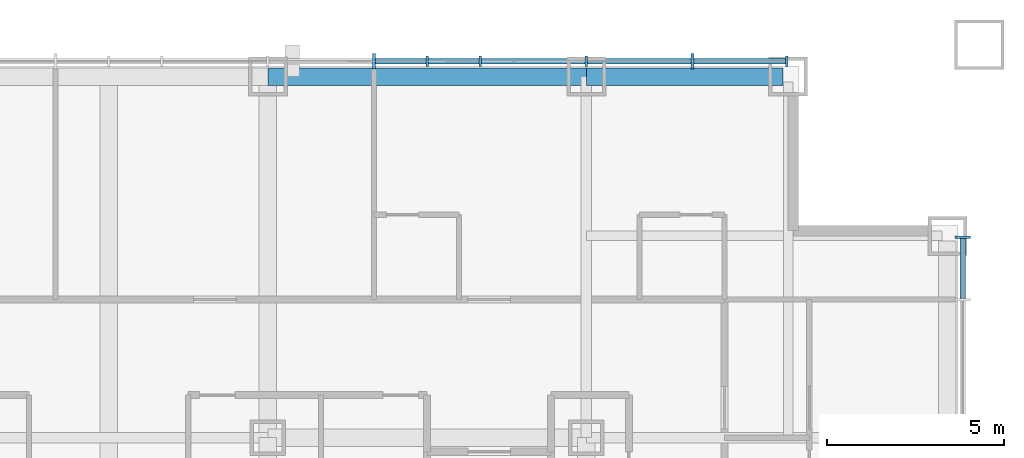
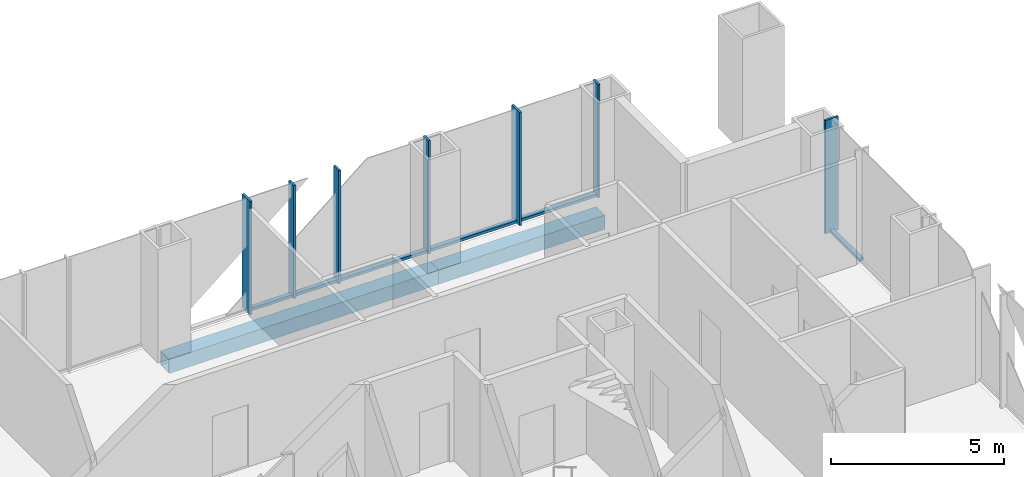
# One storey, part 6 of 18: 13 members, 2 beams, 2 elements without a shape of their own.
"""IFC4 building model written with IfcOpenShell, lengths in metres."""

import ifcopenshell
import ifcopenshell.guid

model = None  # the IFC model being written
_history = None  # IfcOwnerHistory: only IFC2X3 demands one
_inside = {}  # id of a spatial element -> (the spatial element, [elements in it])
_under = {}  # id of a project, library or spatial element -> (it, [spatial elements below it])
_declared = {}  # id of a project -> (the project, [libraries it declares])
_typed = {}  # id of a type object -> (the type object, [elements of that type])
_made_of = {}  # id of a material, layer set ... -> (it, [elements and type objects made of it])


def new_model(schema):
    """Start an empty IFC model of exactly this schema.

    Asked for "IFC4X3", IfcOpenShell would pick the latest addendum, in which some entities
    have other attributes; the version numbers below select the first issue.
    IFC2X3 requires an IfcOwnerHistory on every rooted entity: one is made here for all.
    """
    global model, _history
    if schema == "IFC4X3":
        model = ifcopenshell.file(schema_version=(4, 3, 0, 0))
    else:
        model = ifcopenshell.file(schema=schema)
    _inside.clear()
    _under.clear()
    _declared.clear()
    _typed.clear()
    _made_of.clear()
    _history = None
    if model.schema == "IFC2X3":
        org = make("IfcOrganization", Name="unknown")
        user = make(
            "IfcPersonAndOrganization",
            ThePerson=make("IfcPerson", FamilyName="unknown"),
            TheOrganization=org,
        )
        app = make(
            "IfcApplication",
            ApplicationDeveloper=org,
            Version="unknown",
            ApplicationFullName="unknown",
            ApplicationIdentifier="unknown",
        )
        _history = make(
            "IfcOwnerHistory",
            OwningUser=user,
            OwningApplication=app,
            ChangeAction="ADDED",
            CreationDate=0,
        )
    return model


def make(cls, **values):
    """One entity of the class cls with the attributes given. An attribute that is None is left unset."""
    return model.create_entity(
        cls, **{name: value for name, value in values.items() if value is not None}
    )


def rooted(cls, **values):
    """An entity with a GlobalId (a new one), such as an element, a storey or a relation."""
    return make(cls, GlobalId=ifcopenshell.guid.new(), OwnerHistory=_history, **values)


def si_unit(unit_type, name, prefix=None):
    """IfcSIUnit, for example si_unit("LENGTHUNIT", "METRE", prefix="MILLI")."""
    return make("IfcSIUnit", UnitType=unit_type, Prefix=prefix, Name=name)


def assignment(units):
    """IfcUnitAssignment: the units of a project."""
    return None if units is None else make("IfcUnitAssignment", Units=units)


def point(xyz):
    """IfcCartesianPoint."""
    return None if xyz is None else make("IfcCartesianPoint", Coordinates=xyz)


def direction(xyz):
    """IfcDirection."""
    return None if xyz is None else make("IfcDirection", DirectionRatios=xyz)


def frame(location, z_axis=None, x_axis=None):
    """IfcAxis2Placement3D, a coordinate frame: its origin and axes. An axis left out is left unset."""
    return make(
        "IfcAxis2Placement3D",
        Location=point(location),
        Axis=direction(z_axis),
        RefDirection=direction(x_axis),
    )


def frame_2d(location, x_axis=None):
    """IfcAxis2Placement2D, a coordinate frame in the plane: its origin and x axis."""
    return make(
        "IfcAxis2Placement2D", Location=point(location), RefDirection=direction(x_axis)
    )


def origin():
    """The frame at (0, 0, 0) with its axes left unset."""
    return frame((0.0, 0.0, 0.0))


def origin_2d():
    """The frame at (0, 0) in the plane with its x axis left unset."""
    return frame_2d((0.0, 0.0))


def place(relative_to, where):
    """IfcLocalPlacement: puts the frame where relative to a parent placement (None: the world)."""
    return make(
        "IfcLocalPlacement", PlacementRelTo=relative_to, RelativePlacement=where
    )


def context(
    kind, dimensions, precision=None, world=None, true_north=None, identifier=None
):
    """IfcGeometricRepresentationContext, for example the 3D "Model" context."""
    return make(
        "IfcGeometricRepresentationContext",
        ContextIdentifier=identifier,
        ContextType=kind,
        CoordinateSpaceDimension=dimensions,
        Precision=precision,
        WorldCoordinateSystem=world,
        TrueNorth=true_north,
    )


def subcontext(parent, identifier, kind, view, scale=None):
    """IfcGeometricRepresentationSubContext, for example "Body" below "Model"."""
    return make(
        "IfcGeometricRepresentationSubContext",
        ContextIdentifier=identifier,
        ContextType=kind,
        ParentContext=parent,
        TargetScale=scale,
        TargetView=view,
    )


def project(units=None, contexts=None):
    """IfcProject with its units and contexts."""
    return rooted(
        "IfcProject",
        Name="project",
        RepresentationContexts=contexts,
        UnitsInContext=assignment(units),
    )


def spatial(cls, under=None, at=None, **own):
    """A site, building, storey or space (cls), placed at a placement, below another one or the project."""
    s = rooted(cls, ObjectPlacement=at, **own)
    if under is not None:
        _under.setdefault(under.id(), (under, []))[1].append(s)
    return s


def profile(cls, at=None, kind="AREA", **sizes):
    """A parametric profile (cls). Its sizes go by their IFC names, for example OverallWidth=200.0."""
    return make(cls, ProfileType=kind, Position=at, **sizes)


def rectangle(**sizes):
    """IfcRectangleProfileDef."""
    return profile("IfcRectangleProfileDef", **sizes)


def hollow_rectangle(**sizes):
    """IfcRectangleHollowProfileDef."""
    return profile("IfcRectangleHollowProfileDef", **sizes)


def extrude(swept, where, along, depth):
    """IfcExtrudedAreaSolid: the profile swept, set in the frame where, extruded along a direction by depth."""
    return make(
        "IfcExtrudedAreaSolid",
        SweptArea=swept,
        Position=where,
        ExtrudedDirection=direction(along),
        Depth=depth,
    )


def shape(context_of_items, identifier, shape_type, items):
    """IfcShapeRepresentation: the items that make up one representation, for example the "Body"."""
    return make(
        "IfcShapeRepresentation",
        ContextOfItems=context_of_items,
        RepresentationIdentifier=identifier,
        RepresentationType=shape_type,
        Items=items,
    )


def material(Name=None, Category=None):
    """IfcMaterial."""
    return make("IfcMaterial", Name=Name, Category=Category)


def layer(
    of_material, thickness, ventilated=None, Name=None, Category=None, Priority=None
):
    """IfcMaterialLayer: one layer of a wall or slab, of a material (None: an air gap)."""
    return make(
        "IfcMaterialLayer",
        Material=of_material,
        LayerThickness=thickness,
        IsVentilated=ventilated,
        Name=Name,
        Category=Category,
        Priority=Priority,
    )


def layer_set(layers, Name=None):
    """IfcMaterialLayerSet."""
    return make("IfcMaterialLayerSet", MaterialLayers=layers, LayerSetName=Name)


def material_profile(
    of_material, cross_section, Name=None, Category=None, Priority=None
):
    """IfcMaterialProfile: a cross section and its material."""
    return make(
        "IfcMaterialProfile",
        Name=Name,
        Material=of_material,
        Profile=cross_section,
        Priority=Priority,
        Category=Category,
    )


def profile_set(profiles, Name=None, composite=None):
    """IfcMaterialProfileSet."""
    return make(
        "IfcMaterialProfileSet",
        Name=Name,
        MaterialProfiles=profiles,
        CompositeProfile=composite,
    )


def made_of(thing, what):
    """Note that an element or type object is made of a material, layer set ...; save() writes the relation."""
    if what is not None:
        _made_of.setdefault(what.id(), (what, []))[1].append(thing)
    return thing


def type_object(cls, material=None, **own):
    """A type object (cls), such as IfcWallType, which elements share."""
    return made_of(rooted(cls, **own), material)


def element(
    cls,
    number,
    at=None,
    inside=None,
    cuts=None,
    type_object=None,
    material=None,
    context=None,
    identifier="Body",
    shape_type=None,
    held_by="IfcProductDefinitionShape",
    body=None,
    shapes=None,
    **own,
):
    """One element of the class cls, such as IfcWall. Its Tag is "e" and its number.

    at: its placement. inside: the storey or other place that contains it. cuts: it is an
    opening in that element (IfcRelVoidsElement). A single representation is given by context,
    identifier, shape_type and body (its items); several are given by shapes. held_by: the class
    of the entity that holds the representations. save() writes the other relations.
    """
    e = rooted(cls, Tag="e%d" % number, ObjectPlacement=at, **own)
    if body is not None:
        shapes = [shape(context, identifier, shape_type, body)]
    if shapes is not None:
        e.Representation = make(held_by, Representations=shapes)
    if inside is not None:
        _inside.setdefault(inside.id(), (inside, []))[1].append(e)
    if cuts is not None:
        rooted(
            "IfcRelVoidsElement", RelatingBuildingElement=cuts, RelatedOpeningElement=e
        )
    if type_object is not None:
        _typed.setdefault(type_object.id(), (type_object, []))[1].append(e)
    return made_of(e, material)


def aggregate(whole, parts):
    """IfcRelAggregates: a whole, such as a stair, and the parts it consists of."""
    return rooted("IfcRelAggregates", RelatingObject=whole, RelatedObjects=parts)


def save(model, path):
    """Write the relations noted so far, then the file.

    IfcRelAggregates (storeys below a building ...), IfcRelContainedInSpatialStructure (elements
    in a storey), IfcRelDefinesByType, IfcRelAssociatesMaterial and IfcRelDeclares: one each for
    every whole, place, type object, material and project.
    """
    for whole, parts in _under.values():
        aggregate(whole, parts)
    for where, things in _inside.values():
        rooted(
            "IfcRelContainedInSpatialStructure",
            RelatedElements=things,
            RelatingStructure=where,
        )
    for kind, things in _typed.values():
        rooted("IfcRelDefinesByType", RelatedObjects=things, RelatingType=kind)
    for what, things in _made_of.values():
        rooted("IfcRelAssociatesMaterial", RelatedObjects=things, RelatingMaterial=what)
    for by, libraries in _declared.values():
        rooted("IfcRelDeclares", RelatingContext=by, RelatedDefinitions=libraries)
    model.write(path)


model = new_model("IFC4")

# Units and contexts
model_context = context("Model", 3, precision=1e-05, world=origin(), true_north=direction((0.0, 1.0)))
body_context = subcontext(model_context, "Body", "Model", "MODEL_VIEW")
ifc_project = project(units=[si_unit("LENGTHUNIT", "METRE"), si_unit("AREAUNIT", "SQUARE_METRE"), si_unit("VOLUMEUNIT", "CUBIC_METRE"), si_unit("PLANEANGLEUNIT", "RADIAN"), si_unit("MASSUNIT", "GRAM", prefix="KILO")], contexts=[model_context])

# Site, building, storey
site_placement = place(None, origin())
site = spatial("IfcSite", under=ifc_project, at=site_placement, CompositionType="ELEMENT")
building_placement = place(site_placement, origin())
building = spatial("IfcBuilding", under=site, at=building_placement, Name="Malebo Sky Hospital", CompositionType="ELEMENT")
storey_placement = place(building_placement, frame((0.0, 0.0, 124.0)))
storey = spatial("IfcBuildingStorey", under=building, at=storey_placement, Name="L29", CompositionType="ELEMENT", Elevation=124.0)

# Curtain wall, members
ifc_material_1 = material(Name="Anodised aluminium, natural silver", Category="aluminium")
ifc_layer_1 = layer(ifc_material_1, 0.25)
ifc_layer_set_1 = layer_set([ifc_layer_1], Name="WARD CURTAIN WALL NORTH AND SOUTH")
curtain_wall_type_1 = type_object("IfcCurtainWallType", Name="WARD CURTAIN WALL NORTH AND SOUTH", PredefinedType="NOTDEFINED", material=ifc_layer_set_1)
curtain_wall_1_placement = place(storey_placement, origin())
curtain_wall_1 = element("IfcCurtainWall", 1, at=curtain_wall_1_placement, inside=storey, type_object=curtain_wall_type_1, Name="NS curtain wall N", PredefinedType="NOTDEFINED")
ifc_material_profile_1 = material_profile(ifc_material_1, rectangle(XDim=0.14990234375, YDim=0.10009765625, at=origin_2d()), Name="ALUMINIUM TRANSOM 150x100")
ifc_profile_set_1 = profile_set([ifc_material_profile_1], Name="Anodised aluminium, natural silver")
member_type_1 = type_object("IfcMemberType", Name="ALUMINIUM TRANSOM 150x100", PredefinedType="USERDEFINED", material=ifc_profile_set_1)
member_1_placement = place(storey_placement, frame((67.53759765625, 86.135009765625, 0.050048828125), z_axis=(1.0, 0.0, 0.0), x_axis=(0.0, 1.0, 0.0)))
member_1 = element("IfcMember", 2, at=member_1_placement, type_object=member_type_1, Name="Transom 12", ObjectType="TRANSOM", PredefinedType="USERDEFINED", context=body_context, shape_type="SweptSolid", body=[
    extrude(rectangle(XDim=0.14990234375, YDim=0.10009765625, at=origin_2d()), origin(), (0.0, 0.0, 1.0), 1.4248046875),
])
member_2_placement = place(storey_placement, frame((69.03759765625, 86.135009765625, 0.050048828125), z_axis=(1.0, 0.0, 0.0), x_axis=(0.0, 1.0, 0.0)))
member_2 = element("IfcMember", 3, at=member_2_placement, type_object=member_type_1, Name="Transom 13", ObjectType="TRANSOM", PredefinedType="USERDEFINED", context=body_context, shape_type="SweptSolid", body=[
    extrude(rectangle(XDim=0.14990234375, YDim=0.10009765625, at=origin_2d()), origin(), (0.0, 0.0, 1.0), 1.4248046875),
])
member_3_placement = place(storey_placement, frame((70.53759765625, 86.135009765625, 0.050048828125), z_axis=(1.0, 0.0, 0.0), x_axis=(0.0, 1.0, 0.0)))
member_3 = element("IfcMember", 4, at=member_3_placement, type_object=member_type_1, Name="Transom 14", ObjectType="TRANSOM", PredefinedType="USERDEFINED", context=body_context, shape_type="SweptSolid", body=[
    extrude(rectangle(XDim=0.14990234375, YDim=0.10009765625, at=origin_2d()), origin(), (0.0, 0.0, 1.0), 2.9248046875),
])
member_4_placement = place(storey_placement, frame((73.53759765625, 86.135009765625, 0.050048828125), z_axis=(1.0, 0.0, 0.0), x_axis=(0.0, 1.0, 0.0)))
member_4 = element("IfcMember", 5, at=member_4_placement, type_object=member_type_1, Name="Transom 15", ObjectType="TRANSOM", PredefinedType="USERDEFINED", context=body_context, shape_type="SweptSolid", body=[
    extrude(rectangle(XDim=0.14990234375, YDim=0.10009765625, at=origin_2d()), origin(), (0.0, 0.0, 1.0), 2.9248046875),
])
member_5_placement = place(storey_placement, frame((76.53759765625, 86.135009765625, 0.050048828125), z_axis=(1.0, 0.0, 0.0), x_axis=(0.0, 1.0, 0.0)))
member_5 = element("IfcMember", 6, at=member_5_placement, type_object=member_type_1, Name="Transom 16", ObjectType="TRANSOM", PredefinedType="USERDEFINED", context=body_context, shape_type="SweptSolid", body=[
    extrude(rectangle(XDim=0.14990234375, YDim=0.10009765625, at=origin_2d()), origin(), (0.0, 0.0, 1.0), 2.58740234375),
])

# Curtain wall, member
ifc_layer_2 = layer(ifc_material_1, 0.25)
ifc_layer_set_2 = layer_set([ifc_layer_2], Name="WARD CURTAIN WALL EAST AND WEST")
curtain_wall_type_2 = type_object("IfcCurtainWallType", Name="WARD CURTAIN WALL EAST AND WEST", PredefinedType="NOTDEFINED", material=ifc_layer_set_2)
curtain_wall_2_placement = place(storey_placement, origin())
curtain_wall_2 = element("IfcCurtainWall", 7, at=curtain_wall_2_placement, inside=storey, type_object=curtain_wall_type_2, Name="EW curtain wall E", PredefinedType="NOTDEFINED")
member_6_placement = place(storey_placement, frame((84.135009765625, 81.125, 0.050048828125), z_axis=(0.0, -1.0, 0.0), x_axis=(1.0, 0.0, 0.0)))
member_6 = element("IfcMember", 8, at=member_6_placement, type_object=member_type_1, Name="Transom 1", ObjectType="TRANSOM", PredefinedType="USERDEFINED", context=body_context, shape_type="SweptSolid", body=[
    extrude(rectangle(XDim=0.14990234375, YDim=0.10009765625, at=origin_2d()), origin(), (0.0, 0.0, 1.0), 1.6875),
])

# Member
ifc_material_profile_2 = material_profile(ifc_material_1, rectangle(XDim=0.074951171875, YDim=0.300048828125, at=origin_2d()), Name="CW1 ALUMINIUM FIN MULLION 75x300")
ifc_profile_set_2 = profile_set([ifc_material_profile_2], Name="Anodised aluminium, natural silver")
member_type_2 = type_object("IfcMemberType", Name="CW1 ALUMINIUM FIN MULLION 75x300", PredefinedType="MULLION", material=ifc_profile_set_2)
member_7_placement = place(storey_placement, frame((69.0, 86.135009765625, 0.0), z_axis=(0.0, 0.0, 1.0), x_axis=(1.0, 0.0, 0.0)))
member_7 = element("IfcMember", 9, at=member_7_placement, type_object=member_type_2, Name="Fin mullion 13", PredefinedType="MULLION", context=body_context, shape_type="SweptSolid", body=[
    extrude(rectangle(XDim=0.074951171875, YDim=0.300048828125, at=origin_2d()), origin(), (0.0, 0.0, 1.0), 4.0),
])

member_8_placement = place(storey_placement, frame((70.5, 86.135009765625, 0.0), z_axis=(0.0, 0.0, 1.0), x_axis=(1.0, 0.0, 0.0)))
member_8 = element("IfcMember", 10, at=member_8_placement, type_object=member_type_2, Name="Fin mullion 14", PredefinedType="MULLION", context=body_context, shape_type="SweptSolid", body=[
    extrude(rectangle(XDim=0.074951171875, YDim=0.300048828125, at=origin_2d()), origin(), (0.0, 0.0, 1.0), 4.0),
])

member_9_placement = place(storey_placement, frame((73.5, 86.135009765625, 0.0), z_axis=(0.0, 0.0, 1.0), x_axis=(1.0, 0.0, 0.0)))
member_9 = element("IfcMember", 11, at=member_9_placement, type_object=member_type_2, Name="Fin mullion 15", PredefinedType="MULLION", context=body_context, shape_type="SweptSolid", body=[
    extrude(rectangle(XDim=0.074951171875, YDim=0.300048828125, at=origin_2d()), origin(), (0.0, 0.0, 1.0), 4.0),
])

member_10_placement = place(storey_placement, frame((79.16259765625, 86.135009765625, 0.0), z_axis=(0.0, 0.0, 1.0), x_axis=(1.0, 0.0, 0.0)))
member_10 = element("IfcMember", 12, at=member_10_placement, type_object=member_type_2, Name="Fin mullion 17", PredefinedType="MULLION", context=body_context, shape_type="SweptSolid", body=[
    extrude(rectangle(XDim=0.074951171875, YDim=0.300048828125, at=origin_2d()), origin(), (0.0, 0.0, 1.0), 4.0),
])

ifc_material_profile_3 = material_profile(ifc_material_1, rectangle(XDim=0.074951171875, YDim=0.449951171875, at=origin_2d()), Name="CW1 ALUMINIUM FIN MULLION 75x450")
ifc_profile_set_3 = profile_set([ifc_material_profile_3], Name="Anodised aluminium, natural silver")
member_type_3 = type_object("IfcMemberType", Name="CW1 ALUMINIUM FIN MULLION 75x450", PredefinedType="MULLION", material=ifc_profile_set_3)
member_11_placement = place(storey_placement, frame((67.5, 86.135009765625, 0.0), z_axis=(0.0, 0.0, 1.0), x_axis=(1.0, 0.0, 0.0)))
member_11 = element("IfcMember", 13, at=member_11_placement, type_object=member_type_3, Name="Fin mullion 12", PredefinedType="MULLION", context=body_context, shape_type="SweptSolid", body=[
    extrude(rectangle(XDim=0.074951171875, YDim=0.449951171875, at=origin_2d()), origin(), (0.0, 0.0, 1.0), 4.0),
])

member_12_placement = place(storey_placement, frame((76.5, 86.135009765625, 0.0), z_axis=(0.0, 0.0, 1.0), x_axis=(1.0, 0.0, 0.0)))
member_12 = element("IfcMember", 14, at=member_12_placement, type_object=member_type_3, Name="Fin mullion 16", PredefinedType="MULLION", context=body_context, shape_type="SweptSolid", body=[
    extrude(rectangle(XDim=0.074951171875, YDim=0.449951171875, at=origin_2d()), origin(), (0.0, 0.0, 1.0), 4.0),
])

aggregate(curtain_wall_1, [member_11, member_7, member_8, member_9, member_12, member_10, member_1, member_2, member_3, member_4, member_5])

ifc_material_profile_4 = material_profile(ifc_material_1, rectangle(XDim=0.074951171875, YDim=0.449951171875, at=origin_2d()), Name="CW2 ALUMINIUM FIN MULLION 75x450")
ifc_profile_set_4 = profile_set([ifc_material_profile_4], Name="Anodised aluminium, natural silver")
member_type_4 = type_object("IfcMemberType", Name="CW2 ALUMINIUM FIN MULLION 75x450", PredefinedType="MULLION", material=ifc_profile_set_4)
member_13_placement = place(storey_placement, frame((84.135009765625, 81.16259765625, 0.0), z_axis=(0.0, 0.0, 1.0), x_axis=(0.0, -1.0, 0.0)))
member_13 = element("IfcMember", 15, at=member_13_placement, type_object=member_type_4, Name="Fin mullion 1", PredefinedType="MULLION", context=body_context, shape_type="SweptSolid", body=[
    extrude(rectangle(XDim=0.074951171875, YDim=0.449951171875, at=origin_2d()), origin(), (0.0, 0.0, 1.0), 4.0),
])

aggregate(curtain_wall_2, [member_13, member_6])

# Beams
ifc_material_2 = material(Name="Steel S460", Category="steel")
ifc_material_profile_5 = material_profile(ifc_material_2, hollow_rectangle(XDim=0.5, YDim=0.5, WallThickness=0.030029296875, at=origin_2d()), Name="BOX 500x500x30")
ifc_profile_set_5 = profile_set([ifc_material_profile_5], Name="Steel S460")
beam_type = type_object("IfcBeamType", Name="EDGE BEAM BOX 500x500x30", PredefinedType="BEAM", material=ifc_profile_set_5)
beam_1_placement = place(storey_placement, frame((64.5, 85.699951171875, -0.5), z_axis=(1.0, 0.0, 0.0), x_axis=(0.0, 1.0, 0.0)))
element("IfcBeam", 16, at=beam_1_placement, inside=storey, type_object=beam_type, Name="Beam 066 L29", PredefinedType="BEAM", context=body_context, shape_type="SweptSolid", body=[
    extrude(hollow_rectangle(XDim=0.5, YDim=0.5, WallThickness=0.030029296875, at=origin_2d()), origin(), (0.0, 0.0, 1.0), 9.0),
])
beam_2_placement = place(storey_placement, frame((73.5, 85.699951171875, -0.5), z_axis=(1.0, 0.0, 0.0), x_axis=(0.0, 1.0, 0.0)))
element("IfcBeam", 17, at=beam_2_placement, inside=storey, type_object=beam_type, Name="Beam 067 L29", PredefinedType="BEAM", context=body_context, shape_type="SweptSolid", body=[
    extrude(hollow_rectangle(XDim=0.5, YDim=0.5, WallThickness=0.030029296875, at=origin_2d()), origin(), (0.0, 0.0, 1.0), 5.550048828125),
])

save(model, "model.ifc")
